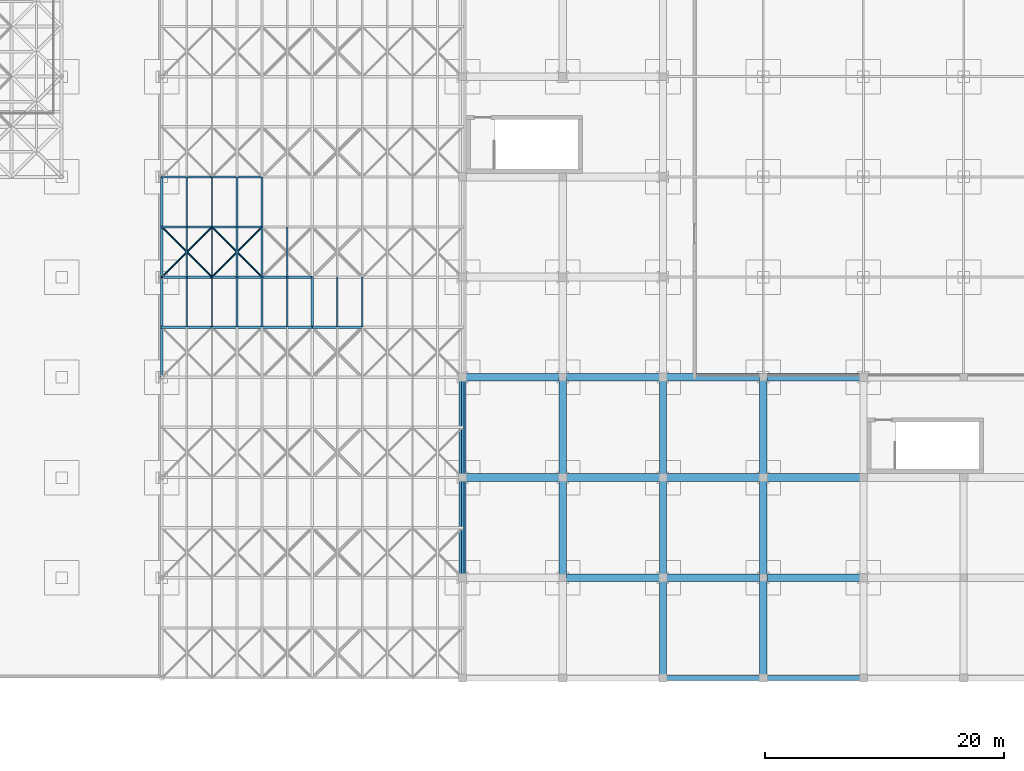
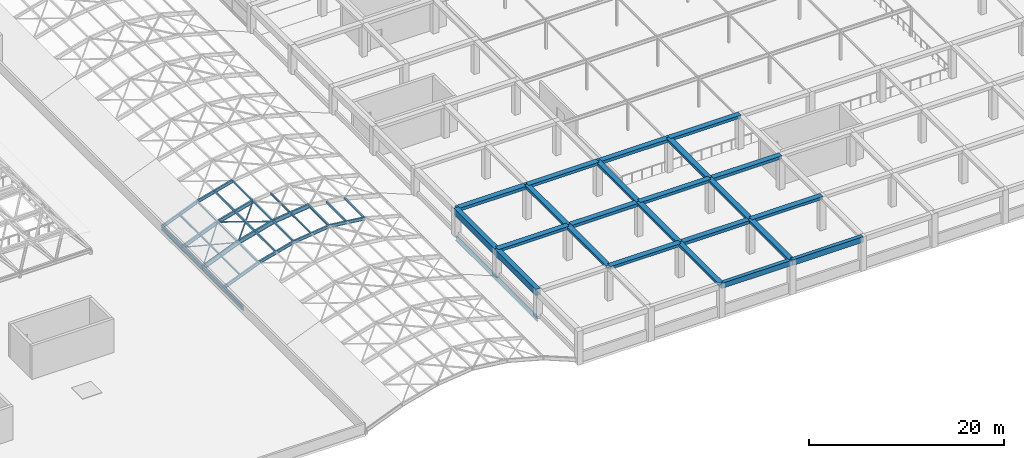
# One storey, part 20 of 85: 32 members, 27 beams.
"""IFC4 building model written with IfcOpenShell, lengths in metres."""

from ifc_helpers import new_model, si_unit, direction, frame, origin, origin_2d, place, context, subcontext, project, spatial, rectangle, hollow_rectangle, hollow_circle, i_section, extrude, material, material_profile, profile_set, type_object, element, save


model = new_model("IFC4")

# Units and contexts
model_context = context("Model", 3, precision=1e-05, world=origin(), true_north=direction((0.0, 1.0)))
body_context = subcontext(model_context, "Body", "Model", "MODEL_VIEW")
ifc_project = project(units=[si_unit("LENGTHUNIT", "METRE"), si_unit("AREAUNIT", "SQUARE_METRE"), si_unit("VOLUMEUNIT", "CUBIC_METRE"), si_unit("PLANEANGLEUNIT", "RADIAN"), si_unit("MASSUNIT", "GRAM", prefix="KILO")], contexts=[model_context])

# Site, building, storey
site_placement = place(None, origin())
site = spatial("IfcSite", under=ifc_project, at=site_placement, CompositionType="ELEMENT")
building_placement = place(site_placement, origin())
building = spatial("IfcBuilding", under=site, at=building_placement, Name="Almacenes y Pasaje Nevantli", CompositionType="ELEMENT")
storey_placement = place(building_placement, frame((0.0, 0.0, 22.199951171875)))
storey = spatial("IfcBuildingStorey", under=building, at=storey_placement, Name="L05", CompositionType="ELEMENT", Elevation=22.199951171875)

# Beams
ifc_material_1 = material(Name="Concrete C35/45", Category="concrete")
ifc_material_profile_1 = material_profile(ifc_material_1, rectangle(XDim=0.449951171875, YDim=0.64990234375, at=origin_2d()), Name="RC-BM-450x650")
ifc_profile_set_1 = profile_set([ifc_material_profile_1], Name="Concrete C35/45")
beam_type_1 = type_object("IfcBeamType", Name="BM-RC-450x650", PredefinedType="SPANDREL", material=ifc_profile_set_1)
beam_1_placement = place(storey_placement, frame((109.199951171875, 0.0, 3.89501953125), z_axis=(1.0, 0.0, 0.0), x_axis=(0.0, 1.0, 0.0)))
element("IfcBeam", 1, at=beam_1_placement, inside=storey, type_object=beam_type_1, Name="L05 East-West Reinforced Concrete Beam #3265", PredefinedType="SPANDREL", context=body_context, shape_type="SweptSolid", body=[
    extrude(rectangle(XDim=0.449951171875, YDim=0.64990234375, at=origin_2d()), origin(), (0.0, 0.0, 1.0), 8.400146484375),
])
ifc_material_2 = material(Name="Concrete C35/45", Category="concrete")
ifc_material_profile_2 = material_profile(ifc_material_2, rectangle(XDim=0.449951171875, YDim=0.699951171875, at=origin_2d()), Name="RC-BM-450x700")
ifc_profile_set_2 = profile_set([ifc_material_profile_2], Name="Concrete C35/45")
beam_type_2 = type_object("IfcBeamType", Name="BM-RC-450x700", PredefinedType="SPANDREL", material=ifc_profile_set_2)
beam_2_placement = place(storey_placement, frame((117.60009765625, 0.0, 3.8701171875), z_axis=(1.0, 0.0, 0.0), x_axis=(0.0, 1.0, 0.0)))
element("IfcBeam", 2, at=beam_2_placement, inside=storey, type_object=beam_type_2, Name="L05 East-West Reinforced Concrete Beam #3266", PredefinedType="SPANDREL", context=body_context, shape_type="SweptSolid", body=[
    extrude(rectangle(XDim=0.449951171875, YDim=0.699951171875, at=origin_2d()), origin(), (0.0, 0.0, 1.0), 8.39990234375),
])
ifc_material_3 = material(Name="Concrete C35/45", Category="concrete")
ifc_material_profile_3 = material_profile(ifc_material_3, rectangle(XDim=0.550048828125, YDim=0.800048828125, at=origin_2d()), Name="RC-BM-550x800")
ifc_profile_set_3 = profile_set([ifc_material_profile_3], Name="Concrete C35/45")
beam_type_3 = type_object("IfcBeamType", Name="BM-RC-550x800", PredefinedType="BEAM", material=ifc_profile_set_3)
beam_3_placement = place(storey_placement, frame((92.39990234375, 8.39990234375, 3.820068359375), z_axis=(0.0, 1.0, 0.0), x_axis=(-1.0, 0.0, 0.0)))
element("IfcBeam", 3, at=beam_3_placement, inside=storey, type_object=beam_type_3, Name="L05 North-South Reinforced Concrete Beam #3465", PredefinedType="BEAM", context=body_context, shape_type="SweptSolid", body=[
    extrude(rectangle(XDim=0.550048828125, YDim=0.800048828125, at=origin_2d()), origin(), (0.0, 0.0, 1.0), 8.400146484375),
])
beam_4_placement = place(storey_placement, frame((92.39990234375, 16.800048828125, 3.820068359375), z_axis=(0.0, 1.0, 0.0), x_axis=(-1.0, 0.0, 0.0)))
element("IfcBeam", 4, at=beam_4_placement, inside=storey, type_object=beam_type_3, Name="L05 North-South Reinforced Concrete Beam #3466", PredefinedType="BEAM", context=body_context, shape_type="SweptSolid", body=[
    extrude(rectangle(XDim=0.550048828125, YDim=0.800048828125, at=origin_2d()), origin(), (0.0, 0.0, 1.0), 8.39990234375),
])
ifc_material_4 = material(Name="Concrete C35/45", Category="concrete")
ifc_material_profile_4 = material_profile(ifc_material_4, rectangle(XDim=0.60009765625, YDim=0.320068359375, at=origin_2d()), Name="RC-BM-600x320")
ifc_profile_set_4 = profile_set([ifc_material_profile_4], Name="Concrete C35/45")
beam_type_4 = type_object("IfcBeamType", Name="BM-RC-600x320", PredefinedType="BEAM", material=ifc_profile_set_4)
beam_5_placement = place(storey_placement, frame((100.800048828125, 8.39990234375, 4.06005859375), z_axis=(0.0, 1.0, 0.0), x_axis=(-1.0, 0.0, 0.0)))
element("IfcBeam", 5, at=beam_5_placement, inside=storey, type_object=beam_type_4, Name="L05 North-South Reinforced Concrete Beam #3479", PredefinedType="BEAM", context=body_context, shape_type="SweptSolid", body=[
    extrude(rectangle(XDim=0.60009765625, YDim=0.320068359375, at=origin_2d()), origin(), (0.0, 0.0, 1.0), 8.400146484375),
])
for number, where, z_axis, x_axis, name in (
    (6, (109.199951171875, 0.0, 4.06005859375), (0.0, 1.0, 0.0), (-1.0, 0.0, 0.0), "L05 North-South Reinforced Concrete Beam #3491"),
    (7, (109.199951171875, 16.800048828125, 4.06005859375), (0.0, 1.0, 0.0), (-1.0, 0.0, 0.0), "L05 North-South Reinforced Concrete Beam #3493"),
):
    element("IfcBeam", number, at=place(storey_placement, frame(where, z_axis=z_axis, x_axis=x_axis)), inside=storey, type_object=beam_type_4, Name=name, PredefinedType="BEAM", context=body_context, shape_type="SweptSolid", body=[
        extrude(rectangle(XDim=0.60009765625, YDim=0.320068359375, at=origin_2d()), origin(), (0.0, 0.0, 1.0), 8.39990234375),
    ])
beam_6_placement = place(storey_placement, frame((117.60009765625, 8.39990234375, 4.06005859375), z_axis=(0.0, 1.0, 0.0), x_axis=(-1.0, 0.0, 0.0)))
element("IfcBeam", 8, at=beam_6_placement, inside=storey, type_object=beam_type_4, Name="L05 North-South Reinforced Concrete Beam #3505", PredefinedType="BEAM", context=body_context, shape_type="SweptSolid", body=[
    extrude(rectangle(XDim=0.60009765625, YDim=0.320068359375, at=origin_2d()), origin(), (0.0, 0.0, 1.0), 8.400146484375),
])
ifc_material_5 = material(Name="Concrete C35/45", Category="concrete")
ifc_material_profile_5 = material_profile(ifc_material_5, rectangle(XDim=0.60009765625, YDim=0.340087890625, at=origin_2d()), Name="RC-BM-600x340")
ifc_profile_set_5 = profile_set([ifc_material_profile_5], Name="Concrete C35/45")
beam_type_5 = type_object("IfcBeamType", Name="BM-RC-600x340", PredefinedType="BEAM", material=ifc_profile_set_5)
beam_7_placement = place(storey_placement, frame((100.800048828125, 16.800048828125, 4.050048828125), z_axis=(0.0, 1.0, 0.0), x_axis=(-1.0, 0.0, 0.0)))
element("IfcBeam", 9, at=beam_7_placement, inside=storey, type_object=beam_type_5, Name="L05 North-South Reinforced Concrete Beam #3480", PredefinedType="BEAM", context=body_context, shape_type="SweptSolid", body=[
    extrude(rectangle(XDim=0.60009765625, YDim=0.340087890625, at=origin_2d()), origin(), (0.0, 0.0, 1.0), 8.39990234375),
])
beam_8_placement = place(storey_placement, frame((109.199951171875, 8.39990234375, 4.050048828125), z_axis=(0.0, 1.0, 0.0), x_axis=(-1.0, 0.0, 0.0)))
element("IfcBeam", 10, at=beam_8_placement, inside=storey, type_object=beam_type_5, Name="L05 North-South Reinforced Concrete Beam #3492", PredefinedType="BEAM", context=body_context, shape_type="SweptSolid", body=[
    extrude(rectangle(XDim=0.60009765625, YDim=0.340087890625, at=origin_2d()), origin(), (0.0, 0.0, 1.0), 8.400146484375),
])
for number, where, z_axis, x_axis, name in (
    (11, (117.60009765625, 0.0, 4.050048828125), (0.0, 1.0, 0.0), (-1.0, 0.0, 0.0), "L05 North-South Reinforced Concrete Beam #3504"),
    (12, (117.60009765625, 16.800048828125, 4.050048828125), (0.0, 1.0, 0.0), (-1.0, 0.0, 0.0), "L05 North-South Reinforced Concrete Beam #3506"),
):
    element("IfcBeam", number, at=place(storey_placement, frame(where, z_axis=z_axis, x_axis=x_axis)), inside=storey, type_object=beam_type_5, Name=name, PredefinedType="BEAM", context=body_context, shape_type="SweptSolid", body=[
        extrude(rectangle(XDim=0.60009765625, YDim=0.340087890625, at=origin_2d()), origin(), (0.0, 0.0, 1.0), 8.39990234375),
    ])
ifc_material_6 = material(Name="Concrete C35/45", Category="concrete")
ifc_material_profile_6 = material_profile(ifc_material_6, rectangle(XDim=0.64990234375, YDim=0.35009765625, at=origin_2d()), Name="RC-BM-650x350")
ifc_profile_set_6 = profile_set([ifc_material_profile_6], Name="Concrete C35/45")
beam_type_6 = type_object("IfcBeamType", Name="BM-RC-650x350", PredefinedType="BEAM", material=ifc_profile_set_6)
for number, where, z_axis, x_axis, name in (
    (13, (100.800048828125, 8.39990234375, 4.045166015625), (1.0, 0.0, 0.0), (0.0, 1.0, 0.0), "L05 East-West Reinforced Concrete Beam #3273"),
    (14, (117.60009765625, 8.39990234375, 4.045166015625), (1.0, 0.0, 0.0), (0.0, 1.0, 0.0), "L05 East-West Reinforced Concrete Beam #3275"),
):
    element("IfcBeam", number, at=place(storey_placement, frame(where, z_axis=z_axis, x_axis=x_axis)), inside=storey, type_object=beam_type_6, Name=name, PredefinedType="BEAM", context=body_context, shape_type="SweptSolid", body=[
        extrude(rectangle(XDim=0.64990234375, YDim=0.35009765625, at=origin_2d()), origin(), (0.0, 0.0, 1.0), 8.39990234375),
    ])
for number, where, z_axis, x_axis, name in (
    (15, (92.39990234375, 16.800048828125, 4.045166015625), (1.0, 0.0, 0.0), (0.0, 1.0, 0.0), "L05 East-West Reinforced Concrete Beam #3281"),
    (16, (109.199951171875, 16.800048828125, 4.045166015625), (1.0, 0.0, 0.0), (0.0, 1.0, 0.0), "L05 East-West Reinforced Concrete Beam #3283"),
):
    element("IfcBeam", number, at=place(storey_placement, frame(where, z_axis=z_axis, x_axis=x_axis)), inside=storey, type_object=beam_type_6, Name=name, PredefinedType="BEAM", context=body_context, shape_type="SweptSolid", body=[
        extrude(rectangle(XDim=0.64990234375, YDim=0.35009765625, at=origin_2d()), origin(), (0.0, 0.0, 1.0), 8.400146484375),
    ])
for number, where, z_axis, x_axis, name in (
    (17, (100.800048828125, 25.199951171875, 4.045166015625), (1.0, 0.0, 0.0), (0.0, 1.0, 0.0), "L05 East-West Reinforced Concrete Beam #3291"),
    (18, (117.60009765625, 25.199951171875, 4.045166015625), (1.0, 0.0, 0.0), (0.0, 1.0, 0.0), "L05 East-West Reinforced Concrete Beam #3293"),
):
    element("IfcBeam", number, at=place(storey_placement, frame(where, z_axis=z_axis, x_axis=x_axis)), inside=storey, type_object=beam_type_6, Name=name, PredefinedType="BEAM", context=body_context, shape_type="SweptSolid", body=[
        extrude(rectangle(XDim=0.64990234375, YDim=0.35009765625, at=origin_2d()), origin(), (0.0, 0.0, 1.0), 8.39990234375),
    ])
ifc_material_7 = material(Name="Concrete C35/45", Category="concrete")
ifc_material_profile_7 = material_profile(ifc_material_7, rectangle(XDim=0.64990234375, YDim=0.3798828125, at=origin_2d()), Name="RC-BM-650x380")
ifc_profile_set_7 = profile_set([ifc_material_profile_7], Name="Concrete C35/45")
beam_type_7 = type_object("IfcBeamType", Name="BM-RC-650x380", PredefinedType="BEAM", material=ifc_profile_set_7)
beam_9_placement = place(storey_placement, frame((109.199951171875, 8.39990234375, 4.030029296875), z_axis=(1.0, 0.0, 0.0), x_axis=(0.0, 1.0, 0.0)))
element("IfcBeam", 19, at=beam_9_placement, inside=storey, type_object=beam_type_7, Name="L05 East-West Reinforced Concrete Beam #3274", PredefinedType="BEAM", context=body_context, shape_type="SweptSolid", body=[
    extrude(rectangle(XDim=0.64990234375, YDim=0.3798828125, at=origin_2d()), origin(), (0.0, 0.0, 1.0), 8.400146484375),
])
for number, where, z_axis, x_axis, name in (
    (20, (100.800048828125, 16.800048828125, 4.030029296875), (1.0, 0.0, 0.0), (0.0, 1.0, 0.0), "L05 East-West Reinforced Concrete Beam #3282"),
    (21, (117.60009765625, 16.800048828125, 4.030029296875), (1.0, 0.0, 0.0), (0.0, 1.0, 0.0), "L05 East-West Reinforced Concrete Beam #3284"),
):
    element("IfcBeam", number, at=place(storey_placement, frame(where, z_axis=z_axis, x_axis=x_axis)), inside=storey, type_object=beam_type_7, Name=name, PredefinedType="BEAM", context=body_context, shape_type="SweptSolid", body=[
        extrude(rectangle(XDim=0.64990234375, YDim=0.3798828125, at=origin_2d()), origin(), (0.0, 0.0, 1.0), 8.39990234375),
    ])
for number, where, z_axis, x_axis, name in (
    (22, (92.39990234375, 25.199951171875, 4.030029296875), (1.0, 0.0, 0.0), (0.0, 1.0, 0.0), "L05 East-West Reinforced Concrete Beam #3290"),
    (23, (109.199951171875, 25.199951171875, 4.030029296875), (1.0, 0.0, 0.0), (0.0, 1.0, 0.0), "L05 East-West Reinforced Concrete Beam #3292"),
):
    element("IfcBeam", number, at=place(storey_placement, frame(where, z_axis=z_axis, x_axis=x_axis)), inside=storey, type_object=beam_type_7, Name=name, PredefinedType="BEAM", context=body_context, shape_type="SweptSolid", body=[
        extrude(rectangle(XDim=0.64990234375, YDim=0.3798828125, at=origin_2d()), origin(), (0.0, 0.0, 1.0), 8.400146484375),
    ])
ifc_material_8 = material(Name="Steel ASTM A992", Category="steel")
ifc_material_profile_8 = material_profile(ifc_material_8, i_section(OverallWidth=0.208984375, OverallDepth=0.532958984375, WebThickness=0.01025390625, FlangeThickness=0.015625, at=origin_2d()), Name="IR 533x92.5")
ifc_profile_set_8 = profile_set([ifc_material_profile_8], Name="Steel ASTM A992")
beam_type_8 = type_object("IfcBeamType", Name="BM-STL-IR-533x92p5", PredefinedType="BEAM", material=ifc_profile_set_8)
beam_10_placement = place(storey_placement, frame((67.199951171875, 25.199951171875, 0.400146484375), z_axis=(0.0, 1.0, 0.0), x_axis=(-1.0, 0.0, 0.0)))
element("IfcBeam", 24, at=beam_10_placement, inside=storey, type_object=beam_type_8, Name="L05 Arcade Barrel Vault Eave Steel Girder #1.4", PredefinedType="BEAM", context=body_context, shape_type="SweptSolid", body=[
    extrude(i_section(OverallWidth=0.208984375, OverallDepth=0.532958984375, WebThickness=0.01025390625, FlangeThickness=0.015625, at=origin_2d()), origin(), (0.0, 0.0, 1.0), 8.400146484375),
])
beam_11_placement = place(storey_placement, frame((67.199951171875, 33.60009765625, 0.400146484375), z_axis=(0.0, 1.0, 0.0), x_axis=(-1.0, 0.0, 0.0)))
element("IfcBeam", 25, at=beam_11_placement, inside=storey, type_object=beam_type_8, Name="L05 Arcade Barrel Vault Eave Steel Girder #1.5", PredefinedType="BEAM", context=body_context, shape_type="SweptSolid", body=[
    extrude(i_section(OverallWidth=0.208984375, OverallDepth=0.532958984375, WebThickness=0.01025390625, FlangeThickness=0.015625, at=origin_2d()), origin(), (0.0, 0.0, 1.0), 8.39990234375),
])
beam_12_placement = place(storey_placement, frame((92.39990234375, 8.39990234375, 0.400146484375), z_axis=(0.0, 1.0, 0.0), x_axis=(-1.0, 0.0, 0.0)))
element("IfcBeam", 26, at=beam_12_placement, inside=storey, type_object=beam_type_8, Name="L05 Arcade Barrel Vault Eave Steel Girder #2.2", PredefinedType="BEAM", context=body_context, shape_type="SweptSolid", body=[
    extrude(i_section(OverallWidth=0.208984375, OverallDepth=0.532958984375, WebThickness=0.01025390625, FlangeThickness=0.015625, at=origin_2d()), origin(), (0.0, 0.0, 1.0), 8.400146484375),
])
beam_13_placement = place(storey_placement, frame((92.39990234375, 16.800048828125, 0.400146484375), z_axis=(0.0, 1.0, 0.0), x_axis=(-1.0, 0.0, 0.0)))
element("IfcBeam", 27, at=beam_13_placement, inside=storey, type_object=beam_type_8, Name="L05 Arcade Barrel Vault Eave Steel Girder #2.3", PredefinedType="BEAM", context=body_context, shape_type="SweptSolid", body=[
    extrude(i_section(OverallWidth=0.208984375, OverallDepth=0.532958984375, WebThickness=0.01025390625, FlangeThickness=0.015625, at=origin_2d()), origin(), (0.0, 0.0, 1.0), 8.39990234375),
])

# Members
ifc_material_9 = material(Name="Steel ASTM A992", Category="steel")
ifc_material_profile_9 = material_profile(ifc_material_9, i_section(OverallWidth=0.180908203125, OverallDepth=0.406005859375, WebThickness=0.010986328125, FlangeThickness=0.018310546875, at=origin_2d()), Name="IR 406x85.0")
ifc_profile_set_9 = profile_set([ifc_material_profile_9], Name="Steel ASTM A992")
member_type_1 = type_object("IfcMemberType", Name="MBR-ARCH-IR406x85", PredefinedType="USERDEFINED", material=ifc_profile_set_9)
member_1_placement = place(storey_placement, frame((67.199951171875, 29.39990234375, 0.400146484375), z_axis=(0.926949044115, 0.0, 0.375187246072), x_axis=(0.0, 1.0, 0.0)))
element("IfcMember", 28, at=member_1_placement, inside=storey, type_object=member_type_1, Name="Arcade Barrel Vault Steel Arch Rib 8.1", ObjectType="ARCH RIB", PredefinedType="USERDEFINED", context=body_context, shape_type="SweptSolid", body=[
    extrude(i_section(OverallWidth=0.180908203125, OverallDepth=0.406005859375, WebThickness=0.010986328125, FlangeThickness=0.018310546875, at=origin_2d()), origin(), (0.0, 0.0, 1.0), 4.531005859375),
])
member_2_placement = place(storey_placement, frame((71.39990234375, 29.39990234375, 2.10009765625), z_axis=(0.964507199401, 0.0, 0.264056551336), x_axis=(0.0, 1.0, 0.0)))
element("IfcMember", 29, at=member_2_placement, inside=storey, type_object=member_type_1, Name="Arcade Barrel Vault Steel Arch Rib 8.2", ObjectType="ARCH RIB", PredefinedType="USERDEFINED", context=body_context, shape_type="SweptSolid", body=[
    extrude(i_section(OverallWidth=0.180908203125, OverallDepth=0.406005859375, WebThickness=0.010986328125, FlangeThickness=0.018310546875, at=origin_2d()), origin(), (0.0, 0.0, 1.0), 4.354736328125),
])
for number, where, z_axis, x_axis, name in (
    (30, (75.60009765625, 29.39990234375, 3.25), (0.99298811287, 0.0, 0.118214244908), (0.0, 1.0, 0.0), "Arcade Barrel Vault Steel Arch Rib 8.3"),
    (31, (79.800048828125, 29.39990234375, 3.75), (0.99298811287, 0.0, -0.118214244908), (0.0, 1.0, 0.0), "Arcade Barrel Vault Steel Arch Rib 8.4"),
):
    element("IfcMember", number, at=place(storey_placement, frame(where, z_axis=z_axis, x_axis=x_axis)), inside=storey, type_object=member_type_1, Name=name, ObjectType="ARCH RIB", PredefinedType="USERDEFINED", context=body_context, shape_type="SweptSolid", body=[
        extrude(i_section(OverallWidth=0.180908203125, OverallDepth=0.406005859375, WebThickness=0.010986328125, FlangeThickness=0.018310546875, at=origin_2d()), origin(), (0.0, 0.0, 1.0), 4.2294921875),
    ])
member_3_placement = place(storey_placement, frame((67.199951171875, 42.0, 0.400146484375), z_axis=(0.926949044115, 0.0, 0.375187246072), x_axis=(0.0, 1.0, 0.0)))
element("IfcMember", 32, at=member_3_placement, inside=storey, type_object=member_type_1, Name="Arcade Barrel Vault Steel Arch Rib 11.1", ObjectType="ARCH RIB", PredefinedType="USERDEFINED", context=body_context, shape_type="SweptSolid", body=[
    extrude(i_section(OverallWidth=0.180908203125, OverallDepth=0.406005859375, WebThickness=0.010986328125, FlangeThickness=0.018310546875, at=origin_2d()), origin(), (0.0, 0.0, 1.0), 4.531005859375),
])
member_4_placement = place(storey_placement, frame((71.39990234375, 42.0, 2.10009765625), z_axis=(0.964507199401, 0.0, 0.264056551336), x_axis=(0.0, 1.0, 0.0)))
element("IfcMember", 33, at=member_4_placement, inside=storey, type_object=member_type_1, Name="Arcade Barrel Vault Steel Arch Rib 11.2", ObjectType="ARCH RIB", PredefinedType="USERDEFINED", context=body_context, shape_type="SweptSolid", body=[
    extrude(i_section(OverallWidth=0.180908203125, OverallDepth=0.406005859375, WebThickness=0.010986328125, FlangeThickness=0.018310546875, at=origin_2d()), origin(), (0.0, 0.0, 1.0), 4.354736328125),
])
ifc_material_10 = material(Name="Steel ASTM A992", Category="steel")
ifc_material_profile_10 = material_profile(ifc_material_10, i_section(OverallWidth=0.193115234375, OverallDepth=0.4599609375, WebThickness=0.011474609375, FlangeThickness=0.01904296875, at=origin_2d()), Name="IR 457x96.7")
ifc_profile_set_10 = profile_set([ifc_material_profile_10], Name="Steel ASTM A992")
member_type_2 = type_object("IfcMemberType", Name="MBR-ARCH-IR457x96", PredefinedType="USERDEFINED", material=ifc_profile_set_10)
member_5_placement = place(storey_placement, frame((67.199951171875, 37.800048828125, 0.400146484375), z_axis=(0.926949044115, 0.0, 0.375187246072), x_axis=(0.0, 1.0, 0.0)))
element("IfcMember", 34, at=member_5_placement, inside=storey, type_object=member_type_2, Name="Arcade Barrel Vault Steel Arch Rib 10.1", ObjectType="ARCH RIB", PredefinedType="USERDEFINED", context=body_context, shape_type="SweptSolid", body=[
    extrude(i_section(OverallWidth=0.193115234375, OverallDepth=0.4599609375, WebThickness=0.011474609375, FlangeThickness=0.01904296875, at=origin_2d()), origin(), (0.0, 0.0, 1.0), 4.531005859375),
])
member_6_placement = place(storey_placement, frame((71.39990234375, 37.800048828125, 2.10009765625), z_axis=(0.964507199401, 0.0, 0.264056551336), x_axis=(0.0, 1.0, 0.0)))
element("IfcMember", 35, at=member_6_placement, inside=storey, type_object=member_type_2, Name="Arcade Barrel Vault Steel Arch Rib 10.2", ObjectType="ARCH RIB", PredefinedType="USERDEFINED", context=body_context, shape_type="SweptSolid", body=[
    extrude(i_section(OverallWidth=0.193115234375, OverallDepth=0.4599609375, WebThickness=0.011474609375, FlangeThickness=0.01904296875, at=origin_2d()), origin(), (0.0, 0.0, 1.0), 4.354736328125),
])
ifc_material_11 = material(Name="Steel ASTM A992", Category="steel")
ifc_material_profile_11 = material_profile(ifc_material_11, i_section(OverallWidth=0.208984375, OverallDepth=0.532958984375, WebThickness=0.01025390625, FlangeThickness=0.015625, at=origin_2d()), Name="IR 533x92.5")
ifc_profile_set_11 = profile_set([ifc_material_profile_11], Name="Steel ASTM A992")
member_type_3 = type_object("IfcMemberType", Name="MBR-ARCH-IR533x92", PredefinedType="USERDEFINED", material=ifc_profile_set_11)
member_7_placement = place(storey_placement, frame((67.199951171875, 33.60009765625, 0.400146484375), z_axis=(0.926949044115, 0.0, 0.375187246072), x_axis=(0.0, 1.0, 0.0)))
element("IfcMember", 36, at=member_7_placement, inside=storey, type_object=member_type_3, Name="Arcade Barrel Vault Steel Arch Rib 9.1", ObjectType="ARCH RIB", PredefinedType="USERDEFINED", context=body_context, shape_type="SweptSolid", body=[
    extrude(i_section(OverallWidth=0.208984375, OverallDepth=0.532958984375, WebThickness=0.01025390625, FlangeThickness=0.015625, at=origin_2d()), origin(), (0.0, 0.0, 1.0), 4.531005859375),
])
member_8_placement = place(storey_placement, frame((71.39990234375, 33.60009765625, 2.10009765625), z_axis=(0.964507199401, 0.0, 0.264056551336), x_axis=(0.0, 1.0, 0.0)))
element("IfcMember", 37, at=member_8_placement, inside=storey, type_object=member_type_3, Name="Arcade Barrel Vault Steel Arch Rib 9.2", ObjectType="ARCH RIB", PredefinedType="USERDEFINED", context=body_context, shape_type="SweptSolid", body=[
    extrude(i_section(OverallWidth=0.208984375, OverallDepth=0.532958984375, WebThickness=0.01025390625, FlangeThickness=0.015625, at=origin_2d()), origin(), (0.0, 0.0, 1.0), 4.354736328125),
])
member_9_placement = place(storey_placement, frame((75.60009765625, 33.60009765625, 3.25), z_axis=(0.99298811287, 0.0, 0.118214244908), x_axis=(0.0, 1.0, 0.0)))
element("IfcMember", 38, at=member_9_placement, inside=storey, type_object=member_type_3, Name="Arcade Barrel Vault Steel Arch Rib 9.3", ObjectType="ARCH RIB", PredefinedType="USERDEFINED", context=body_context, shape_type="SweptSolid", body=[
    extrude(i_section(OverallWidth=0.208984375, OverallDepth=0.532958984375, WebThickness=0.01025390625, FlangeThickness=0.015625, at=origin_2d()), origin(), (0.0, 0.0, 1.0), 4.2294921875),
])
ifc_material_12 = material(Name="Steel ASTM A500 Grade C", Category="steel")
ifc_material_profile_12 = material_profile(ifc_material_12, hollow_circle(Radius=0.070556640625, WallThickness=0.006591796875, at=origin_2d()), Name="OC 141x6.6")
ifc_profile_set_12 = profile_set([ifc_material_profile_12], Name="Steel ASTM A500 Grade C")
member_type_4 = type_object("IfcMemberType", Name="MBR-BRC-OC141", PredefinedType="BRACE", material=ifc_profile_set_12)
for number, where, z_axis, x_axis, name in (
    (39, (67.199951171875, 33.60009765625, 0.400146484375), (0.679811915702, 0.679811915702, 0.275157261468), (-0.707106781187, 0.707106781187, 0.0), "Arcade Barrel Vault Wind Brace 9.1A"),
    (40, (71.39990234375, 33.60009765625, 2.10009765625), (-0.679811915702, 0.679811915702, -0.275157261468), (-0.707106781187, -0.707106781187, 0.0), "Arcade Barrel Vault Wind Brace 9.1B"),
):
    element("IfcMember", number, at=place(storey_placement, frame(where, z_axis=z_axis, x_axis=x_axis)), inside=storey, type_object=member_type_4, Name=name, PredefinedType="BRACE", context=body_context, shape_type="SweptSolid", body=[
        extrude(hollow_circle(Radius=0.070556640625, WallThickness=0.006591796875, at=origin_2d()), origin(), (0.0, 0.0, 1.0), 6.17822265625),
    ])
ifc_material_13 = material(Name="Steel ASTM A500 Grade C", Category="steel")
ifc_material_profile_13 = material_profile(ifc_material_13, hollow_circle(Radius=0.084228515625, WallThickness=0.007080078125, at=origin_2d()), Name="OC 168x7.1")
ifc_profile_set_13 = profile_set([ifc_material_profile_13], Name="Steel ASTM A500 Grade C")
member_type_5 = type_object("IfcMemberType", Name="MBR-BRC-OC168", PredefinedType="BRACE", material=ifc_profile_set_13)
for number, where, z_axis, x_axis, name in (
    (41, (71.39990234375, 33.60009765625, 2.10009765625), (0.694237619642, 0.694197266374, 0.19006389145), (-0.70708622964, 0.707127332136, 0.0), "Arcade Barrel Vault Wind Brace 9.2A"),
    (42, (75.60009765625, 33.60009765625, 3.25), (-0.694237619642, 0.694197266374, -0.19006389145), (-0.70708622964, -0.707127332136, 0.0), "Arcade Barrel Vault Wind Brace 9.2B"),
):
    element("IfcMember", number, at=place(storey_placement, frame(where, z_axis=z_axis, x_axis=x_axis)), inside=storey, type_object=member_type_5, Name=name, PredefinedType="BRACE", context=body_context, shape_type="SweptSolid", body=[
        extrude(hollow_circle(Radius=0.084228515625, WallThickness=0.007080078125, at=origin_2d()), origin(), (0.0, 0.0, 1.0), 6.050048828125),
    ])
ifc_material_14 = material(Name="Steel ASTM A992", Category="steel")
ifc_material_profile_14 = material_profile(ifc_material_14, i_section(OverallWidth=0.134033203125, OverallDepth=0.2099609375, WebThickness=0.00634765625, FlangeThickness=0.01025390625, at=origin_2d()), Name="IR 203x31.3")
ifc_profile_set_14 = profile_set([ifc_material_profile_14], Name="Steel ASTM A992")
member_type_6 = type_object("IfcMemberType", Name="MBR-PUR-IR203x31", PredefinedType="PURLIN", material=ifc_profile_set_14)
for number, where, z_axis, x_axis, name in (
    (43, (69.300048828125, 29.39990234375, 1.25), (0.0, 1.0, 0.0), (-1.0, 0.0, 0.0), "Arcade Barrel Vault Secondary Steel Purlin #83"),
    (44, (77.699951171875, 29.39990234375, 3.5), (0.0, 1.0, 0.0), (-1.0, 0.0, 0.0), "Arcade Barrel Vault Secondary Steel Purlin #85"),
):
    element("IfcMember", number, at=place(storey_placement, frame(where, z_axis=z_axis, x_axis=x_axis)), inside=storey, type_object=member_type_6, Name=name, PredefinedType="PURLIN", context=body_context, shape_type="SweptSolid", body=[
        extrude(i_section(OverallWidth=0.134033203125, OverallDepth=0.2099609375, WebThickness=0.00634765625, FlangeThickness=0.01025390625, at=origin_2d()), origin(), (0.0, 0.0, 1.0), 4.2001953125),
    ])
for number, where, z_axis, x_axis, name in (
    (45, (69.300048828125, 33.60009765625, 1.25), (0.0, 1.0, 0.0), (-1.0, 0.0, 0.0), "Arcade Barrel Vault Secondary Steel Purlin #94"),
    (46, (77.699951171875, 33.60009765625, 3.5), (0.0, 1.0, 0.0), (-1.0, 0.0, 0.0), "Arcade Barrel Vault Secondary Steel Purlin #96"),
    (47, (69.300048828125, 37.800048828125, 1.25), (0.0, 1.0, 0.0), (-1.0, 0.0, 0.0), "Arcade Barrel Vault Secondary Steel Purlin #105"),
):
    element("IfcMember", number, at=place(storey_placement, frame(where, z_axis=z_axis, x_axis=x_axis)), inside=storey, type_object=member_type_6, Name=name, PredefinedType="PURLIN", context=body_context, shape_type="SweptSolid", body=[
        extrude(i_section(OverallWidth=0.134033203125, OverallDepth=0.2099609375, WebThickness=0.00634765625, FlangeThickness=0.01025390625, at=origin_2d()), origin(), (0.0, 0.0, 1.0), 4.199951171875),
    ])
ifc_material_15 = material(Name="Steel ASTM A992", Category="steel")
ifc_material_profile_15 = material_profile(ifc_material_15, i_section(OverallWidth=0.202880859375, OverallDepth=0.25390625, WebThickness=0.00732421875, FlangeThickness=0.010986328125, at=origin_2d()), Name="IR 254x49.1")
ifc_profile_set_15 = profile_set([ifc_material_profile_15], Name="Steel ASTM A992")
member_type_7 = type_object("IfcMemberType", Name="MBR-PUR-IR254x49", PredefinedType="PURLIN", material=ifc_profile_set_15)
member_10_placement = place(storey_placement, frame((79.800048828125, 29.39990234375, 3.75), z_axis=(0.0, 1.0, 0.0), x_axis=(-1.0, 0.0, 0.0)))
element("IfcMember", 48, at=member_10_placement, inside=storey, type_object=member_type_7, Name="Arcade Barrel Vault Steel Purlin #80", PredefinedType="PURLIN", context=body_context, shape_type="SweptSolid", body=[
    extrude(i_section(OverallWidth=0.202880859375, OverallDepth=0.25390625, WebThickness=0.00732421875, FlangeThickness=0.010986328125, at=origin_2d()), origin(), (0.0, 0.0, 1.0), 4.2001953125),
])
ifc_material_16 = material(Name="Steel ASTM A500 Grade C", Category="steel")
ifc_material_profile_16 = material_profile(ifc_material_16, hollow_rectangle(XDim=0.1015625, YDim=0.203125, WallThickness=0.0078125, at=origin_2d()), Name="OR 203x102x7.9")
ifc_profile_set_16 = profile_set([ifc_material_profile_16], Name="Steel ASTM A500 Grade C")
member_type_8 = type_object("IfcMemberType", Name="MBR-PUR-OR203x102", PredefinedType="PURLIN", material=ifc_profile_set_16)
member_11_placement = place(storey_placement, frame((71.39990234375, 29.39990234375, 2.10009765625), z_axis=(0.0, 1.0, 0.0), x_axis=(-1.0, 0.0, 0.0)))
element("IfcMember", 49, at=member_11_placement, inside=storey, type_object=member_type_8, Name="Arcade Barrel Vault Steel Purlin #78", PredefinedType="PURLIN", context=body_context, shape_type="SweptSolid", body=[
    extrude(hollow_rectangle(XDim=0.1015625, YDim=0.203125, WallThickness=0.0078125, at=origin_2d()), origin(), (0.0, 0.0, 1.0), 4.2001953125),
])
for number, where, z_axis, x_axis, name in (
    (50, (71.39990234375, 33.60009765625, 2.10009765625), (0.0, 1.0, 0.0), (-1.0, 0.0, 0.0), "Arcade Barrel Vault Steel Purlin #89"),
    (51, (71.39990234375, 37.800048828125, 2.10009765625), (0.0, 1.0, 0.0), (-1.0, 0.0, 0.0), "Arcade Barrel Vault Steel Purlin #100"),
):
    element("IfcMember", number, at=place(storey_placement, frame(where, z_axis=z_axis, x_axis=x_axis)), inside=storey, type_object=member_type_8, Name=name, PredefinedType="PURLIN", context=body_context, shape_type="SweptSolid", body=[
        extrude(hollow_rectangle(XDim=0.1015625, YDim=0.203125, WallThickness=0.0078125, at=origin_2d()), origin(), (0.0, 0.0, 1.0), 4.199951171875),
    ])
ifc_material_17 = material(Name="Steel ASTM A500 Grade C", Category="steel")
ifc_material_profile_17 = material_profile(ifc_material_17, hollow_rectangle(XDim=0.15234375, YDim=0.203125, WallThickness=0.0078125, at=origin_2d()), Name="OR 203x152x7.9")
ifc_profile_set_17 = profile_set([ifc_material_profile_17], Name="Steel ASTM A500 Grade C")
member_type_9 = type_object("IfcMemberType", Name="MBR-PUR-OR203x152", PredefinedType="PURLIN", material=ifc_profile_set_17)
for number, where, z_axis, x_axis, name in (
    (52, (75.60009765625, 29.39990234375, 3.25), (0.0, 1.0, 0.0), (-1.0, 0.0, 0.0), "Arcade Barrel Vault Steel Purlin #79"),
    (53, (84.0, 29.39990234375, 3.25), (0.0, 1.0, 0.0), (-1.0, 0.0, 0.0), "Arcade Barrel Vault Steel Purlin #81"),
):
    element("IfcMember", number, at=place(storey_placement, frame(where, z_axis=z_axis, x_axis=x_axis)), inside=storey, type_object=member_type_9, Name=name, PredefinedType="PURLIN", context=body_context, shape_type="SweptSolid", body=[
        extrude(hollow_rectangle(XDim=0.15234375, YDim=0.203125, WallThickness=0.0078125, at=origin_2d()), origin(), (0.0, 0.0, 1.0), 4.2001953125),
    ])
for number, where, z_axis, x_axis, name in (
    (54, (75.60009765625, 33.60009765625, 3.25), (0.0, 1.0, 0.0), (-1.0, 0.0, 0.0), "Arcade Barrel Vault Steel Purlin #90"),
    (55, (75.60009765625, 37.800048828125, 3.25), (0.0, 1.0, 0.0), (-1.0, 0.0, 0.0), "Arcade Barrel Vault Steel Purlin #101"),
):
    element("IfcMember", number, at=place(storey_placement, frame(where, z_axis=z_axis, x_axis=x_axis)), inside=storey, type_object=member_type_9, Name=name, PredefinedType="PURLIN", context=body_context, shape_type="SweptSolid", body=[
        extrude(hollow_rectangle(XDim=0.15234375, YDim=0.203125, WallThickness=0.0078125, at=origin_2d()), origin(), (0.0, 0.0, 1.0), 4.199951171875),
    ])
ifc_material_18 = material(Name="Steel ASTM A500 Grade C", Category="steel")
ifc_material_profile_18 = material_profile(ifc_material_18, hollow_rectangle(XDim=0.15234375, YDim=0.25390625, WallThickness=0.009521484375, at=origin_2d()), Name="OR 254x152x9.5")
ifc_profile_set_18 = profile_set([ifc_material_profile_18], Name="Steel ASTM A500 Grade C")
member_type_10 = type_object("IfcMemberType", Name="MBR-PUR-OR254x152", PredefinedType="PURLIN", material=ifc_profile_set_18)
for number, where, z_axis, x_axis, name in (
    (56, (73.5, 29.39990234375, 2.675048828125), (0.0, 1.0, 0.0), (-1.0, 0.0, 0.0), "Arcade Barrel Vault Secondary Steel Purlin #84"),
    (57, (81.89990234375, 29.39990234375, 3.5), (0.0, 1.0, 0.0), (-1.0, 0.0, 0.0), "Arcade Barrel Vault Secondary Steel Purlin #86"),
):
    element("IfcMember", number, at=place(storey_placement, frame(where, z_axis=z_axis, x_axis=x_axis)), inside=storey, type_object=member_type_10, Name=name, PredefinedType="PURLIN", context=body_context, shape_type="SweptSolid", body=[
        extrude(hollow_rectangle(XDim=0.15234375, YDim=0.25390625, WallThickness=0.009521484375, at=origin_2d()), origin(), (0.0, 0.0, 1.0), 4.2001953125),
    ])
for number, where, z_axis, x_axis, name in (
    (58, (73.5, 33.60009765625, 2.675048828125), (0.0, 1.0, 0.0), (-1.0, 0.0, 0.0), "Arcade Barrel Vault Secondary Steel Purlin #95"),
    (59, (73.5, 37.800048828125, 2.675048828125), (0.0, 1.0, 0.0), (-1.0, 0.0, 0.0), "Arcade Barrel Vault Secondary Steel Purlin #106"),
):
    element("IfcMember", number, at=place(storey_placement, frame(where, z_axis=z_axis, x_axis=x_axis)), inside=storey, type_object=member_type_10, Name=name, PredefinedType="PURLIN", context=body_context, shape_type="SweptSolid", body=[
        extrude(hollow_rectangle(XDim=0.15234375, YDim=0.25390625, WallThickness=0.009521484375, at=origin_2d()), origin(), (0.0, 0.0, 1.0), 4.199951171875),
    ])

save(model, "model.ifc")
